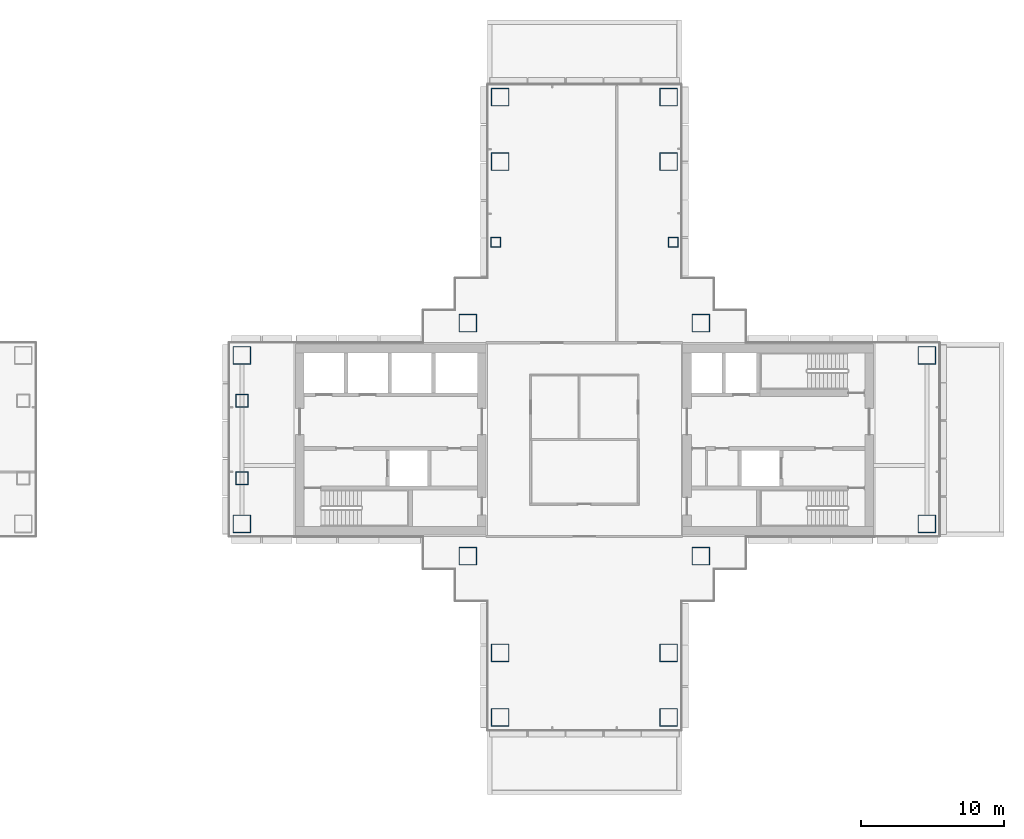
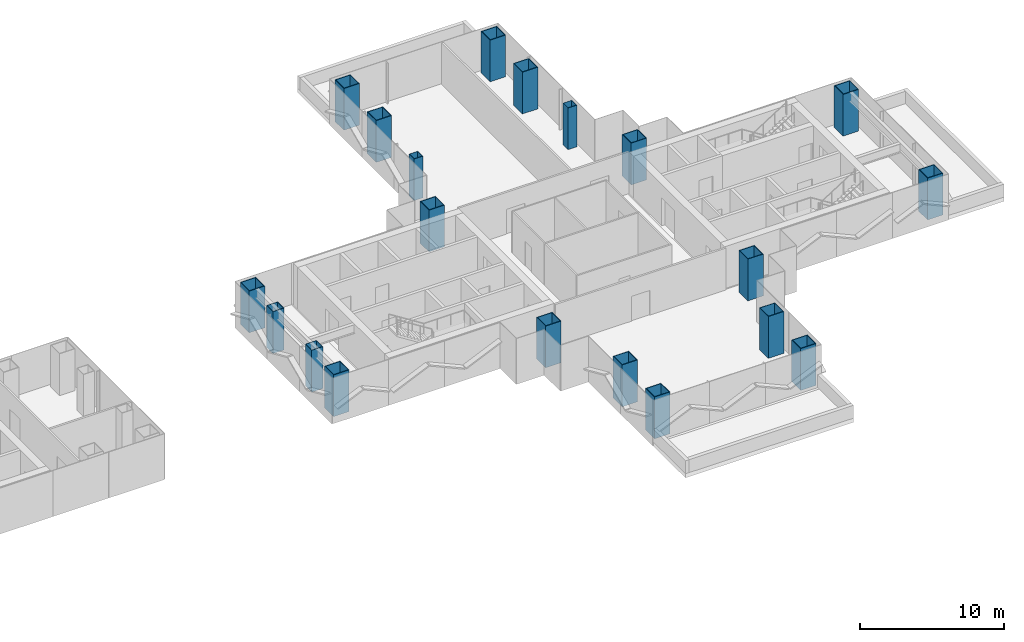
# One storey, part 2 of 20: 20 columns.
"""IFC4 building model written with IfcOpenShell, lengths in metres."""

from ifc_helpers import new_model, si_unit, direction, frame, origin, origin_2d, place, context, subcontext, project, spatial, hollow_rectangle, extrude, material, material_profile, profile_set, type_object, element, save


model = new_model("IFC4")

# Units and contexts
model_context = context("Model", 3, precision=1e-05, world=origin(), true_north=direction((0.0, 1.0)))
body_context = subcontext(model_context, "Body", "Model", "MODEL_VIEW")
ifc_project = project(units=[si_unit("LENGTHUNIT", "METRE"), si_unit("AREAUNIT", "SQUARE_METRE"), si_unit("VOLUMEUNIT", "CUBIC_METRE"), si_unit("PLANEANGLEUNIT", "RADIAN"), si_unit("MASSUNIT", "GRAM", prefix="KILO")], contexts=[model_context])

# Site, building, storey
site_placement = place(None, origin())
site = spatial("IfcSite", under=ifc_project, at=site_placement, CompositionType="ELEMENT")
building_placement = place(site_placement, origin())
building = spatial("IfcBuilding", under=site, at=building_placement, Name="Shamsa Quay Exchange Towers", CompositionType="ELEMENT")
storey_placement = place(building_placement, frame((0.0, 0.0, 81.89990234375)))
storey = spatial("IfcBuildingStorey", under=building, at=storey_placement, Name="L18", CompositionType="ELEMENT", Elevation=81.89990234375)

# Columns
ifc_material_1 = material(Name="Concrete-filled steel tube S355 / C80/95", Category="concrete")
ifc_material_profile_1 = material_profile(ifc_material_1, hollow_rectangle(XDim=1.25, YDim=1.25, WallThickness=0.050048828125, at=origin_2d()), Name="CFT 1250x1250x50")
ifc_profile_set_1 = profile_set([ifc_material_profile_1], Name="Concrete-filled steel tube S355 / C80/95")
column_type_1 = type_object("IfcColumnType", Name="Column CFT 1250x1250x50", PredefinedType="COLUMN", material=ifc_profile_set_1)
for number, where, name in (
    (1, (25.625, 8.125, 0.0), "Mega column T2-CM01"),
    (2, (41.875, 8.125, 0.0), "Mega column T2-CM02"),
    (3, (25.625, -8.125, 0.0), "Mega column T2-CM03"),
    (4, (41.875, -8.125, 0.0), "Mega column T2-CM04"),
    (5, (39.625, 19.375, 0.0), "Mega column T2-CM06"),
    (6, (39.625, 23.875, 0.0), "Mega column T2-CM07"),
    (7, (27.875, 19.375, 0.0), "Mega column T2-CM10"),
    (8, (27.875, 23.875, 0.0), "Mega column T2-CM11"),
    (9, (39.625, -14.875, 0.0), "Mega column T2-CM13"),
    (10, (39.625, -19.375, 0.0), "Mega column T2-CM14"),
    (11, (27.875, -14.875, 0.0), "Mega column T2-CM16"),
    (12, (27.875, -19.375, 0.0), "Mega column T2-CM17"),
    (13, (9.875, -5.875, 0.0), "Mega column T2-CM19"),
    (14, (9.875, 5.875, 0.0), "Mega column T2-CM20"),
    (15, (57.625, -5.875, 0.0), "Mega column T2-CM21"),
    (16, (57.625, 5.875, 0.0), "Mega column T2-CM23"),
):
    element("IfcColumn", number, at=place(storey_placement, frame(where)), inside=storey, type_object=column_type_1, Name=name, PredefinedType="COLUMN", context=body_context, shape_type="SweptSolid", body=[
        extrude(hollow_rectangle(XDim=1.25, YDim=1.25, WallThickness=0.050048828125, at=origin_2d()), origin(), (0.0, 0.0, 1.0), 3.550048828125),
    ])
ifc_material_2 = material(Name="Concrete-filled steel tube S355 / C60/75", Category="concrete")
ifc_material_profile_2 = material_profile(ifc_material_2, hollow_rectangle(XDim=0.699951171875, YDim=0.699951171875, WallThickness=0.02490234375, at=origin_2d()), Name="CFT 700x700x25")
ifc_profile_set_2 = profile_set([ifc_material_profile_2], Name="Concrete-filled steel tube S355 / C60/75")
column_type_2 = type_object("IfcColumnType", Name="Column CFT 700x700x25", PredefinedType="COLUMN", material=ifc_profile_set_2)
for number, where, name in (
    (17, (39.9375, 13.75, 0.0), "Perimeter column T2-CP05"),
    (18, (27.5625, 13.75, 0.0), "Perimeter column T2-CP09"),
):
    element("IfcColumn", number, at=place(storey_placement, frame(where)), inside=storey, type_object=column_type_2, Name=name, PredefinedType="COLUMN", context=body_context, shape_type="SweptSolid", body=[
        extrude(hollow_rectangle(XDim=0.699951171875, YDim=0.699951171875, WallThickness=0.02490234375, at=origin_2d()), origin(), (0.0, 0.0, 1.0), 3.550048828125),
    ])
ifc_material_3 = material(Name="Concrete-filled steel tube S355 / C70/85", Category="concrete")
ifc_material_profile_3 = material_profile(ifc_material_3, hollow_rectangle(XDim=0.89990234375, YDim=0.89990234375, WallThickness=0.035888671875, at=origin_2d()), Name="CFT 900x900x36")
ifc_profile_set_3 = profile_set([ifc_material_profile_3], Name="Concrete-filled steel tube S355 / C70/85")
column_type_3 = type_object("IfcColumnType", Name="Landing column CFT 900x900x36", PredefinedType="COLUMN", material=ifc_profile_set_3)
for number, where, name in (
    (19, (9.875, -2.699951171875, 0.0), "Landing column T2 S"),
    (20, (9.875, 2.699951171875, 0.0), "Landing column T2 N"),
):
    element("IfcColumn", number, at=place(storey_placement, frame(where)), inside=storey, type_object=column_type_3, Name=name, PredefinedType="COLUMN", context=body_context, shape_type="SweptSolid", body=[
        extrude(hollow_rectangle(XDim=0.89990234375, YDim=0.89990234375, WallThickness=0.035888671875, at=origin_2d()), origin(), (0.0, 0.0, 1.0), 3.550048828125),
    ])

save(model, "model.ifc")
